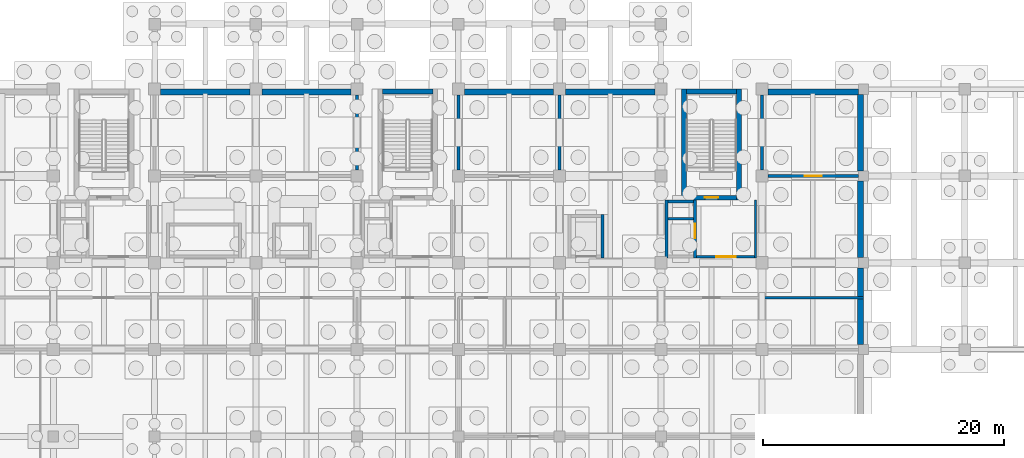
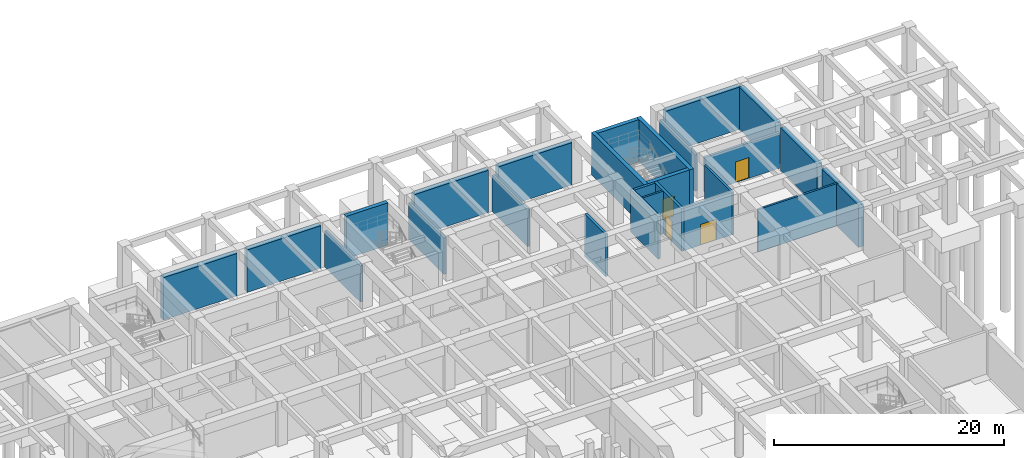
# One storey, part 20 of 26: 26 walls, 4 doors, 4 openings.
"""IFC4 building model written with IfcOpenShell, lengths in metres."""

from ifc_helpers import new_model, si_unit, direction, frame, frame_2d, origin, place, context, subcontext, project, spatial, rectangle, extrude, material, layer, layer_set, type_object, element, fill, save


model = new_model("IFC4")

# Units and contexts
model_context = context("Model", 3, precision=1e-05, world=origin(), true_north=direction((0.0, 1.0)))
body_context = subcontext(model_context, "Body", "Model", "MODEL_VIEW")
ifc_project = project(units=[si_unit("LENGTHUNIT", "METRE"), si_unit("AREAUNIT", "SQUARE_METRE"), si_unit("VOLUMEUNIT", "CUBIC_METRE"), si_unit("PLANEANGLEUNIT", "RADIAN"), si_unit("MASSUNIT", "GRAM", prefix="KILO")], contexts=[model_context])

# Site, building, storey
site_placement = place(None, origin())
site = spatial("IfcSite", under=ifc_project, at=site_placement, CompositionType="ELEMENT")
building_placement = place(site_placement, origin())
building = spatial("IfcBuilding", under=site, at=building_placement, Name="Kenerak Square Central Library", CompositionType="ELEMENT")
storey_placement = place(building_placement, frame((0.0, 0.0, -4.800048828125)))
storey = spatial("IfcBuildingStorey", under=building, at=storey_placement, Name="B1", CompositionType="ELEMENT", Elevation=-4.800048828125)

# Wall, opening, door
ifc_material_1 = material(Name="Concrete C40/50", Category="concrete")
ifc_layer_1 = layer(ifc_material_1, 0.25)
ifc_layer_set_1 = layer_set([ifc_layer_1], Name="Concrete C40/50")
wall_type_1 = type_object("IfcWallType", Name="Archive Compartment Wall IW-250 C40/50", PredefinedType="SOLIDWALL", material=ifc_layer_set_1)
wall_1_placement = place(storey_placement, frame((125.175048828125, 103.199951171875, 0.0), z_axis=(0.0, 0.0, 1.0), x_axis=(-1.0, 0.0, 0.0)))
wall_1 = element("IfcWall", 1, at=wall_1_placement, inside=storey, type_object=wall_type_1, Name="Interior Wall IW-B1-06-S1-B1", PredefinedType="SOLIDWALL", context=body_context, shape_type="SweptSolid", body=[
    extrude(rectangle(XDim=7.47509765625, YDim=0.25, at=frame_2d((3.737548828125, 0.0))), origin(), (0.0, 0.0, 1.0), 3.75),
])
opening_1_placement = place(wall_1_placement, frame((3.03759765625, 0.0, 0.0)))
opening_1 = element("IfcOpeningElement", 2, at=opening_1_placement, cuts=wall_1, Name="Opening ID-07", PredefinedType="OPENING", context=body_context, shape_type="SweptSolid", body=[
    extrude(rectangle(XDim=1.39990234375, YDim=2.199951171875, at=frame_2d((0.699951171875, 1.10009765625))), frame((0.0, 0.135009765625, 0.0), z_axis=(0.0, -1.0, 0.0), x_axis=(1.0, 0.0, 0.0)), (0.0, 0.0, 1.0), 0.27001953125),
])
ifc_material_2 = material(Name="Steel S355", Category="steel")
door_type_1 = type_object("IfcDoorType", Name="Plant and Store Unequal Pair Door ID-1400x2200 FD60S", OperationType="NOTDEFINED", PredefinedType="DOOR", material=ifc_material_2)
door_1_placement = place(opening_1_placement, origin())
door_1 = element("IfcDoor", 3, at=door_1_placement, inside=storey, type_object=door_type_1, Name="Main Switchboard and TNB Substation Plant Room Door", OperationType="SINGLE_SWING_RIGHT", OverallHeight=2.199951171875, OverallWidth=1.39990234375, PredefinedType="DOOR", context=body_context, shape_type="SweptSolid", body=[
    extrude(rectangle(XDim=1.39990234375, YDim=2.199951171875, at=frame_2d((0.699951171875, 1.10009765625))), frame((0.0, 0.02490234375, 0.0), z_axis=(0.0, -1.0, 0.0), x_axis=(1.0, 0.0, 0.0)), (0.0, 0.0, 1.0), 0.050048828125),
])
fill(opening_1, door_1)

# Walls
for number, where, z_axis, x_axis, name in (
    (4, (117.199951171875, 103.699951171875, 0.0), (0.0, 0.0, 1.0), (0.0, 1.0, 0.0), "Interior Wall IW-B1-06-W2-B1"),
    (5, (83.60009765625, 109.89990234375, 0.0), (0.0, 0.0, 1.0), (0.0, -1.0, 0.0), "Interior Wall IW-B1-11-E3-B1"),
    (6, (92.0, 103.699951171875, 0.0), (0.0, 0.0, 1.0), (0.0, 1.0, 0.0), "Interior Wall IW-B1-12-W2-B1"),
    (7, (100.39990234375, 109.89990234375, 0.0), (0.0, 0.0, 1.0), (0.0, -1.0, 0.0), "Interior Wall IW-B1-12-E3-B1"),
):
    element("IfcWall", number, at=place(storey_placement, frame(where, z_axis=z_axis, x_axis=x_axis)), inside=storey, type_object=wall_type_1, Name=name, PredefinedType="SOLIDWALL", context=body_context, shape_type="SweptSolid", body=[
        extrude(rectangle(XDim=6.199951171875, YDim=0.25, at=frame_2d((3.10009765625, 0.0))), origin(), (0.0, 0.0, 1.0), 3.85009765625),
    ])
ifc_layer_2 = layer(ifc_material_1, 0.39990234375)
ifc_layer_set_2 = layer_set([ifc_layer_2], Name="Concrete C40/50")
wall_type_2 = type_object("IfcWallType", Name="Core Shear Wall CW-400 C40/50", PredefinedType="SHEAR", material=ifc_layer_set_2)
wall_2_placement = place(storey_placement, frame((85.719970703125, 110.199951171875, 0.0), z_axis=(0.0, 0.0, 1.0), x_axis=(1.0, 0.0, 0.0)))
element("IfcWall", 8, at=wall_2_placement, inside=storey, type_object=wall_type_2, Name="Core Wall CW-C2 B1 North", PredefinedType="SHEAR", context=body_context, shape_type="SweptSolid", body=[
    extrude(rectangle(XDim=4.159912109375, YDim=0.39990234375, at=frame_2d((2.080078125, 0.0))), origin(), (0.0, 0.0, 1.0), 4.5),
])
for number, where, z_axis, x_axis, name in (
    (9, (110.719970703125, 101.199951171875, 0.0), (0.0, 0.0, 1.0), (0.0, 1.0, 0.0), "Core Wall CW-C3 B1 West"),
    (10, (115.280029296875, 110.39990234375, 0.0), (0.0, 0.0, 1.0), (0.0, -1.0, 0.0), "Core Wall CW-C3 B1 East"),
):
    element("IfcWall", number, at=place(storey_placement, frame(where, z_axis=z_axis, x_axis=x_axis)), inside=storey, type_object=wall_type_2, Name=name, PredefinedType="SHEAR", context=body_context, shape_type="SweptSolid", body=[
        extrude(rectangle(XDim=9.199951171875, YDim=0.39990234375, at=frame_2d((4.60009765625, 0.0))), origin(), (0.0, 0.0, 1.0), 4.5),
    ])

# Wall, opening, door
wall_3_placement = place(storey_placement, frame((115.080078125, 101.39990234375, 0.0), z_axis=(0.0, 0.0, 1.0), x_axis=(-1.0, 0.0, 0.0)))
wall_3 = element("IfcWall", 11, at=wall_3_placement, inside=storey, type_object=wall_type_2, Name="Core Wall CW-C3 B1 South", PredefinedType="SHEAR", context=body_context, shape_type="SweptSolid", body=[
    extrude(rectangle(XDim=4.16015625, YDim=0.39990234375, at=frame_2d((2.080078125, 0.0))), origin(), (0.0, 0.0, 1.0), 4.5),
])
opening_2_placement = place(wall_3_placement, frame((1.530029296875, 0.0, 0.0)))
opening_2 = element("IfcOpeningElement", 12, at=opening_2_placement, cuts=wall_3, Name="Opening D-ST1", PredefinedType="OPENING", context=body_context, shape_type="SweptSolid", body=[
    extrude(rectangle(XDim=1.10009765625, YDim=2.199951171875, at=frame_2d((0.550048828125, 1.10009765625))), frame((0.0, 0.2099609375, 0.0), z_axis=(0.0, -1.0, 0.0), x_axis=(1.0, 0.0, 0.0)), (0.0, 0.0, 1.0), 0.419921875),
])
door_type_2 = type_object("IfcDoorType", Name="Protected Stair Fire Door FD-1100x2200 FD60S", OperationType="NOTDEFINED", PredefinedType="DOOR", material=ifc_material_2)
door_2_placement = place(opening_2_placement, frame((1.10009765625, 0.0, 0.0), z_axis=(0.0, 0.0, 1.0), x_axis=(-1.0, 0.0, 0.0)))
door_2 = element("IfcDoor", 13, at=door_2_placement, inside=storey, type_object=door_type_2, Name="Stair Door ST-03 B1", OperationType="SINGLE_SWING_RIGHT", OverallHeight=2.199951171875, OverallWidth=1.10009765625, PredefinedType="DOOR", context=body_context, shape_type="SweptSolid", body=[
    extrude(rectangle(XDim=1.10009765625, YDim=2.199951171875, at=frame_2d((0.550048828125, 1.10009765625))), frame((0.0, 0.02490234375, 0.0), z_axis=(0.0, -1.0, 0.0), x_axis=(1.0, 0.0, 0.0)), (0.0, 0.0, 1.0), 0.050048828125),
])
fill(opening_2, door_2)

# Walls
wall_4_placement = place(storey_placement, frame((110.919921875, 110.199951171875, 0.0), z_axis=(0.0, 0.0, 1.0), x_axis=(1.0, 0.0, 0.0)))
element("IfcWall", 14, at=wall_4_placement, inside=storey, type_object=wall_type_2, Name="Core Wall CW-C3 B1 North", PredefinedType="SHEAR", context=body_context, shape_type="SweptSolid", body=[
    extrude(rectangle(XDim=4.16015625, YDim=0.39990234375, at=frame_2d((2.080078125, 0.0))), origin(), (0.0, 0.0, 1.0), 4.5),
])
ifc_layer_3 = layer(ifc_material_1, 0.199951171875)
ifc_layer_set_3 = layer_set([ifc_layer_3], Name="Concrete C40/50")
wall_type_3 = type_object("IfcWallType", Name="Lobby Compartment Wall LW-200 C40/50", PredefinedType="SOLIDWALL", material=ifc_layer_set_3)
wall_5_placement = place(storey_placement, frame((109.39990234375, 99.64990234375, 0.0), z_axis=(0.0, 0.0, 1.0), x_axis=(1.0, 0.0, 0.0)))
element("IfcWall", 15, at=wall_5_placement, inside=storey, type_object=wall_type_3, Name="Riser Divider Wall C3 B1", PredefinedType="SOLIDWALL", context=body_context, shape_type="SweptSolid", body=[
    extrude(rectangle(XDim=2.10009765625, YDim=0.199951171875, at=frame_2d((1.050048828125, 0.0))), origin(), (0.0, 0.0, 1.0), 4.5),
])
wall_6_placement = place(storey_placement, frame((116.64990234375, 101.199951171875, 0.0), z_axis=(0.0, 0.0, 1.0), x_axis=(0.0, -1.0, 0.0)))
element("IfcWall", 16, at=wall_6_placement, inside=storey, type_object=wall_type_3, Name="Firefighting Lobby East Wall C3 B1", PredefinedType="SOLIDWALL", context=body_context, shape_type="SweptSolid", body=[
    extrude(rectangle(XDim=4.800048828125, YDim=0.199951171875, at=frame_2d((2.39990234375, 0.0))), origin(), (0.0, 0.0, 1.0), 4.5),
])

# Wall, opening, door
wall_7_placement = place(storey_placement, frame((116.550048828125, 96.5, 0.0), z_axis=(0.0, 0.0, 1.0), x_axis=(-1.0, 0.0, 0.0)))
wall_7 = element("IfcWall", 17, at=wall_7_placement, inside=storey, type_object=wall_type_3, Name="Firefighting Lobby South Wall C3 B1", PredefinedType="SOLIDWALL", context=body_context, shape_type="SweptSolid", body=[
    extrude(rectangle(XDim=4.800048828125, YDim=0.199951171875, at=frame_2d((2.39990234375, 0.0))), origin(), (0.0, 0.0, 1.0), 4.5),
])
opening_3_placement = place(wall_7_placement, frame((1.550048828125, 0.0, 0.0)))
opening_3 = element("IfcOpeningElement", 18, at=opening_3_placement, cuts=wall_7, Name="Opening D-FFL", PredefinedType="OPENING", context=body_context, shape_type="SweptSolid", body=[
    extrude(rectangle(XDim=1.60009765625, YDim=2.199951171875, at=frame_2d((0.800048828125, 1.10009765625))), frame((0.0, 0.10986328125, 0.0), z_axis=(0.0, -1.0, 0.0), x_axis=(1.0, 0.0, 0.0)), (0.0, 0.0, 1.0), 0.219970703125),
])
door_type_3 = type_object("IfcDoorType", Name="Firefighting Lobby Double Door FD-1600x2200 FD60S", OperationType="NOTDEFINED", PredefinedType="DOOR", material=ifc_material_2)
door_3_placement = place(opening_3_placement, frame((1.60009765625, 0.0, 0.0), z_axis=(0.0, 0.0, 1.0), x_axis=(-1.0, 0.0, 0.0)))
door_3 = element("IfcDoor", 19, at=door_3_placement, inside=storey, type_object=door_type_3, Name="Firefighting Lobby Door C3 B1", OperationType="DOUBLE_DOOR_SINGLE_SWING", OverallHeight=2.199951171875, OverallWidth=1.60009765625, PredefinedType="DOOR", context=body_context, shape_type="SweptSolid", body=[
    extrude(rectangle(XDim=1.60009765625, YDim=2.199951171875, at=frame_2d((0.800048828125, 1.10009765625))), frame((0.0, 0.02490234375, 0.0), z_axis=(0.0, -1.0, 0.0), x_axis=(1.0, 0.0, 0.0)), (0.0, 0.0, 1.0), 0.050048828125),
])
fill(opening_3, door_3)

# Walls
ifc_material_3 = material(Name="Precast concrete C40/50", Category="concrete")
ifc_layer_4 = layer(ifc_material_3, 0.199951171875)
ifc_layer_set_4 = layer_set([ifc_layer_4], Name="Precast concrete C40/50")
wall_type_4 = type_object("IfcWallType", Name="Protected Corridor Fire Wall IW-200 C40/50", PredefinedType="PARTITIONING", material=ifc_layer_set_4)
wall_8_placement = place(storey_placement, frame((117.199951171875, 93.10009765625, 0.0), z_axis=(0.0, 0.0, 1.0), x_axis=(1.0, 0.0, 0.0)))
element("IfcWall", 20, at=wall_8_placement, inside=storey, type_object=wall_type_4, Name="Interior Wall IW-B1-07-N1-B4", PredefinedType="PARTITIONING", context=body_context, shape_type="SweptSolid", body=[
    extrude(rectangle(XDim=8.400146484375, YDim=0.199951171875, at=frame_2d((4.2001953125, 0.0))), origin(), (0.0, 0.0, 1.0), 4.5),
])
ifc_layer_5 = layer(ifc_material_1, 0.25)
ifc_layer_set_5 = layer_set([ifc_layer_5], Name="Concrete C40/50")
wall_type_5 = type_object("IfcWallType", Name="Shaft Enclosure Wall SW-250 C40/50", PredefinedType="SOLIDWALL", material=ifc_layer_set_5)
wall_9_placement = place(storey_placement, frame((109.27490234375, 96.39990234375, 0.0), z_axis=(0.0, 0.0, 1.0), x_axis=(0.0, 1.0, 0.0)))
element("IfcWall", 21, at=wall_9_placement, inside=storey, type_object=wall_type_5, Name="Core Wall FLW-C3 B1 West", PredefinedType="SOLIDWALL", context=body_context, shape_type="SweptSolid", body=[
    extrude(rectangle(XDim=4.800048828125, YDim=0.25, at=frame_2d((2.39990234375, 0.0))), origin(), (0.0, 0.0, 1.0), 4.5),
])

# Wall, opening, door
wall_10_placement = place(storey_placement, frame((111.625, 101.199951171875, 0.0), z_axis=(0.0, 0.0, 1.0), x_axis=(0.0, -1.0, 0.0)))
wall_10 = element("IfcWall", 22, at=wall_10_placement, inside=storey, type_object=wall_type_5, Name="Core Wall FLW-C3 B1 East", PredefinedType="SOLIDWALL", context=body_context, shape_type="SweptSolid", body=[
    extrude(rectangle(XDim=4.800048828125, YDim=0.25, at=frame_2d((2.39990234375, 0.0))), origin(), (0.0, 0.0, 1.0), 4.5),
])
opening_4_placement = place(wall_10_placement, frame((1.949951171875, 0.0, 0.0)))
opening_4 = element("IfcOpeningElement", 23, at=opening_4_placement, cuts=wall_10, Name="Opening LD-FL", PredefinedType="OPENING", context=body_context, shape_type="SweptSolid", body=[
    extrude(rectangle(XDim=1.199951171875, YDim=2.199951171875, at=frame_2d((0.60009765625, 1.10009765625))), frame((0.0, 0.135009765625, 0.0), z_axis=(0.0, -1.0, 0.0), x_axis=(1.0, 0.0, 0.0)), (0.0, 0.0, 1.0), 0.27001953125),
])
door_type_4 = type_object("IfcDoorType", Name="Firefighting Lift Sliding Landing Door LD-1200x2200 FD120S", OperationType="NOTDEFINED", PredefinedType="DOOR", material=ifc_material_2)
door_4_placement = place(opening_4_placement, origin())
door_4 = element("IfcDoor", 24, at=door_4_placement, inside=storey, type_object=door_type_4, Name="Firefighting Lift Landing Door FL-03 B1", OperationType="SLIDING_TO_LEFT", OverallHeight=2.199951171875, OverallWidth=1.199951171875, PredefinedType="DOOR", context=body_context, shape_type="SweptSolid", body=[
    extrude(rectangle(XDim=1.199951171875, YDim=2.199951171875, at=frame_2d((0.60009765625, 1.10009765625))), frame((0.0, 0.02490234375, 0.0), z_axis=(0.0, -1.0, 0.0), x_axis=(1.0, 0.0, 0.0)), (0.0, 0.0, 1.0), 0.050048828125),
])
fill(opening_4, door_4)

# Walls
wall_11_placement = place(storey_placement, frame((109.39990234375, 101.074951171875, 0.0), z_axis=(0.0, 0.0, 1.0), x_axis=(1.0, 0.0, 0.0)))
element("IfcWall", 25, at=wall_11_placement, inside=storey, type_object=wall_type_5, Name="Core Wall FLW-C3 B1 North", PredefinedType="SOLIDWALL", context=body_context, shape_type="SweptSolid", body=[
    extrude(rectangle(XDim=2.10009765625, YDim=0.25, at=frame_2d((1.050048828125, 0.0))), origin(), (0.0, 0.0, 1.0), 4.5),
])
wall_12_placement = place(storey_placement, frame((103.97509765625, 100.0, 0.0), z_axis=(0.0, 0.0, 1.0), x_axis=(0.0, -1.0, 0.0)))
element("IfcWall", 26, at=wall_12_placement, inside=storey, type_object=wall_type_5, Name="Core Wall GLSHAFT B1 East", PredefinedType="SOLIDWALL", context=body_context, shape_type="SweptSolid", body=[
    extrude(rectangle(XDim=3.60009765625, YDim=0.25, at=frame_2d((1.800048828125, 0.0))), origin(), (0.0, 0.0, 1.0), 4.5),
])
ifc_layer_6 = layer(ifc_material_1, 0.5)
ifc_layer_set_6 = layer_set([ifc_layer_6], Name="Concrete C40/50")
wall_type_6 = type_object("IfcWallType", Name="Tanked Basement Retaining Wall RW-500 C40/50", PredefinedType="USERDEFINED", material=ifc_layer_set_6)
wall_13_placement = place(storey_placement, frame((67.300048828125, 110.14990234375, 0.0), z_axis=(0.0, 0.0, 1.0), x_axis=(1.0, 0.0, 0.0)))
element("IfcWall", 27, at=wall_13_placement, inside=storey, type_object=wall_type_6, Name="Basement Retaining Wall B1 0019", ObjectType="RETAINING WALL", PredefinedType="USERDEFINED", context=body_context, shape_type="SweptSolid", body=[
    extrude(rectangle(XDim=7.39990234375, YDim=0.5, at=frame_2d((3.699951171875, 0.0))), origin(), (0.0, 0.0, 1.0), 4.5),
])
wall_14_placement = place(storey_placement, frame((75.699951171875, 110.14990234375, 0.0), z_axis=(0.0, 0.0, 1.0), x_axis=(1.0, 0.0, 0.0)))
element("IfcWall", 28, at=wall_14_placement, inside=storey, type_object=wall_type_6, Name="Basement Retaining Wall B1 0020", ObjectType="RETAINING WALL", PredefinedType="USERDEFINED", context=body_context, shape_type="SweptSolid", body=[
    extrude(rectangle(XDim=7.400146484375, YDim=0.5, at=frame_2d((3.7001953125, 0.0))), origin(), (0.0, 0.0, 1.0), 4.5),
])
wall_15_placement = place(storey_placement, frame((92.5, 110.14990234375, 0.0), z_axis=(0.0, 0.0, 1.0), x_axis=(1.0, 0.0, 0.0)))
element("IfcWall", 29, at=wall_15_placement, inside=storey, type_object=wall_type_6, Name="Basement Retaining Wall B1 0021", ObjectType="RETAINING WALL", PredefinedType="USERDEFINED", context=body_context, shape_type="SweptSolid", body=[
    extrude(rectangle(XDim=7.39990234375, YDim=0.5, at=frame_2d((3.699951171875, 0.0))), origin(), (0.0, 0.0, 1.0), 4.5),
])
wall_16_placement = place(storey_placement, frame((100.89990234375, 110.14990234375, 0.0), z_axis=(0.0, 0.0, 1.0), x_axis=(1.0, 0.0, 0.0)))
element("IfcWall", 30, at=wall_16_placement, inside=storey, type_object=wall_type_6, Name="Basement Retaining Wall B1 0022", ObjectType="RETAINING WALL", PredefinedType="USERDEFINED", context=body_context, shape_type="SweptSolid", body=[
    extrude(rectangle(XDim=7.400146484375, YDim=0.5, at=frame_2d((3.7001953125, 0.0))), origin(), (0.0, 0.0, 1.0), 4.5),
])
wall_17_placement = place(storey_placement, frame((117.699951171875, 110.14990234375, 0.0), z_axis=(0.0, 0.0, 1.0), x_axis=(1.0, 0.0, 0.0)))
element("IfcWall", 31, at=wall_17_placement, inside=storey, type_object=wall_type_6, Name="Basement Retaining Wall B1 0023", ObjectType="RETAINING WALL", PredefinedType="USERDEFINED", context=body_context, shape_type="SweptSolid", body=[
    extrude(rectangle(XDim=7.47509765625, YDim=0.5, at=frame_2d((3.737548828125, 0.0))), origin(), (0.0, 0.0, 1.0), 4.5),
])
wall_18_placement = place(storey_placement, frame((125.35009765625, 109.97509765625, 0.0), z_axis=(0.0, 0.0, 1.0), x_axis=(0.0, -1.0, 0.0)))
element("IfcWall", 32, at=wall_18_placement, inside=storey, type_object=wall_type_6, Name="Basement Retaining Wall B1 0024", ObjectType="RETAINING WALL", PredefinedType="USERDEFINED", context=body_context, shape_type="SweptSolid", body=[
    extrude(rectangle(XDim=6.35009765625, YDim=0.5, at=frame_2d((3.175048828125, 0.0))), origin(), (0.0, 0.0, 1.0), 4.5),
])
for number, where, z_axis, x_axis, name in (
    (33, (125.35009765625, 102.77490234375, 0.0), (0.0, 0.0, 1.0), (0.0, -1.0, 0.0), "Basement Retaining Wall B1 0025"),
    (34, (125.35009765625, 95.574951171875, 0.0), (0.0, 0.0, 1.0), (0.0, -1.0, 0.0), "Basement Retaining Wall B1 0026"),
):
    element("IfcWall", number, at=place(storey_placement, frame(where, z_axis=z_axis, x_axis=x_axis)), inside=storey, type_object=wall_type_6, Name=name, ObjectType="RETAINING WALL", PredefinedType="USERDEFINED", context=body_context, shape_type="SweptSolid", body=[
        extrude(rectangle(XDim=6.349853515625, YDim=0.5, at=frame_2d((3.1748046875, 0.0))), origin(), (0.0, 0.0, 1.0), 4.5),
    ])

save(model, "model.ifc")
